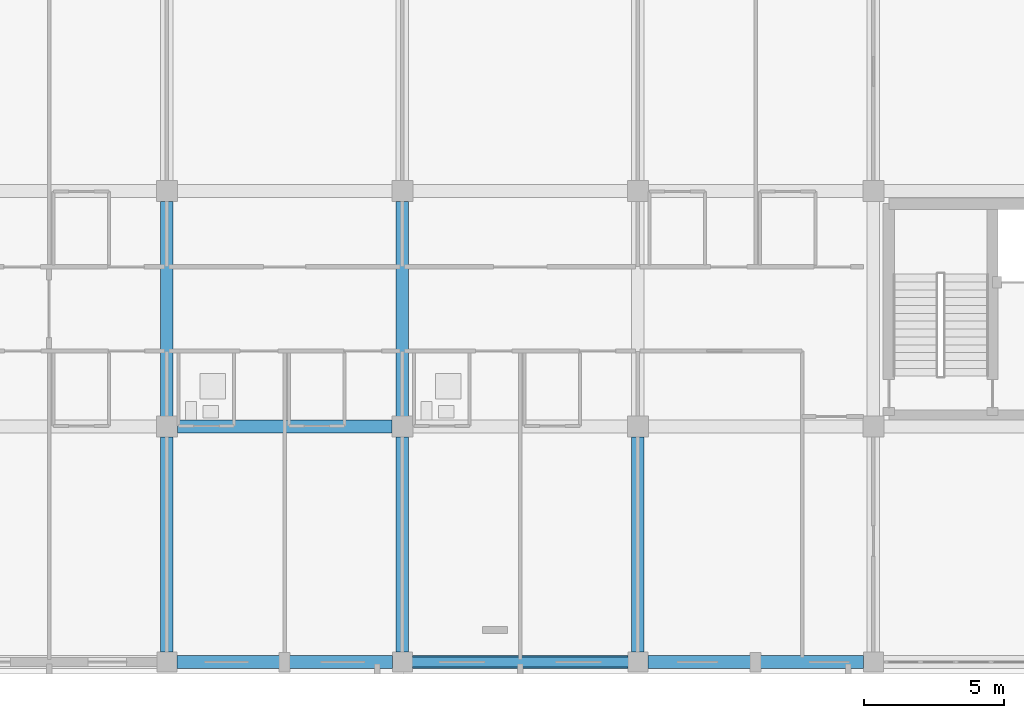
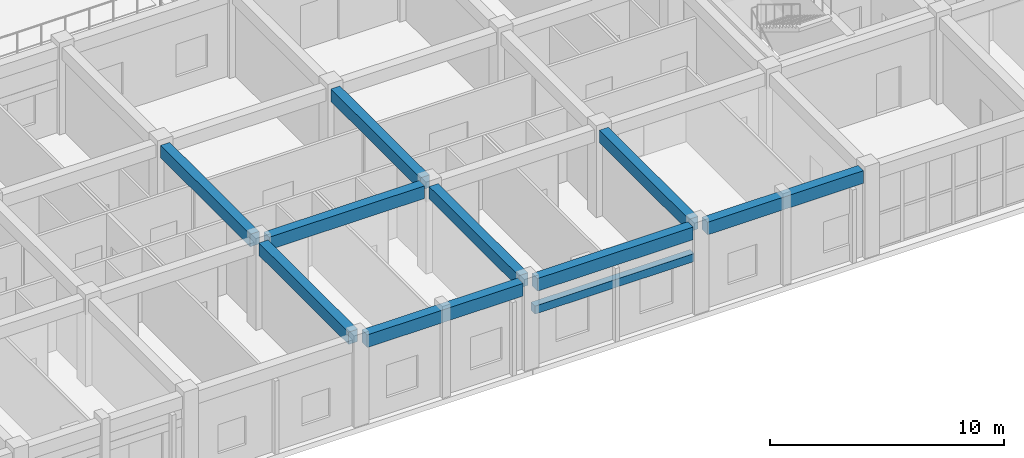
# One storey, part 29 of 158: 10 beams.
"""IFC4 building model written with IfcOpenShell, lengths in metres."""

from ifc_helpers import new_model, si_unit, direction, frame, origin, origin_2d, place, context, subcontext, project, spatial, rectangle, extrude, material, material_profile, profile_set, type_object, element, save


model = new_model("IFC4")

# Units and contexts
model_context = context("Model", 3, precision=1e-05, world=origin(), true_north=direction((0.0, 1.0)))
body_context = subcontext(model_context, "Body", "Model", "MODEL_VIEW")
ifc_project = project(units=[si_unit("LENGTHUNIT", "METRE"), si_unit("AREAUNIT", "SQUARE_METRE"), si_unit("VOLUMEUNIT", "CUBIC_METRE"), si_unit("PLANEANGLEUNIT", "RADIAN"), si_unit("MASSUNIT", "GRAM", prefix="KILO")], contexts=[model_context])

# Site, building, storey
site_placement = place(None, origin())
site = spatial("IfcSite", under=ifc_project, at=site_placement, CompositionType="ELEMENT")
building_placement = place(site_placement, origin())
building = spatial("IfcBuilding", under=site, at=building_placement, Name="Trelvath General Hospital", CompositionType="ELEMENT")
storey_placement = place(building_placement, frame((0.0, 0.0, 8.10009765625)))
storey = spatial("IfcBuildingStorey", under=building, at=storey_placement, Name="L02", CompositionType="ELEMENT", Elevation=8.10009765625)

# Beams
ifc_material_1 = material(Name="Concrete C35/45", Category="concrete")
ifc_material_profile_1 = material_profile(ifc_material_1, rectangle(XDim=0.449951171875, YDim=0.64990234375, at=origin_2d()), Name="RCB450x650")
ifc_profile_set_1 = profile_set([ifc_material_profile_1], Name="Concrete C35/45")
beam_type_1 = type_object("IfcBeamType", Name="Beam RC450x650", PredefinedType="BEAM", material=ifc_profile_set_1)
beam_1_placement = place(storey_placement, frame((67.199951171875, 0.35498046875, 4.19482421875), z_axis=(0.0, 1.0, 0.0), x_axis=(-1.0, 0.0, 0.0)))
element("IfcBeam", 1, at=beam_1_placement, inside=storey, type_object=beam_type_1, Name="Grid Beam BY-208A", PredefinedType="BEAM", context=body_context, shape_type="SweptSolid", body=[
    extrude(rectangle(XDim=0.449951171875, YDim=0.64990234375, at=origin_2d()), origin(), (0.0, 0.0, 1.0), 7.675048828125),
])
beam_2_placement = place(storey_placement, frame((67.199951171875, 8.77001953125, 4.19482421875), z_axis=(0.0, 1.0, 0.0), x_axis=(-1.0, 0.0, 0.0)))
element("IfcBeam", 2, at=beam_2_placement, inside=storey, type_object=beam_type_1, Name="Grid Beam BY-208B", PredefinedType="BEAM", context=body_context, shape_type="SweptSolid", body=[
    extrude(rectangle(XDim=0.449951171875, YDim=0.64990234375, at=origin_2d()), origin(), (0.0, 0.0, 1.0), 7.659912109375),
])
beam_3_placement = place(storey_placement, frame((75.60009765625, 0.35498046875, 4.19482421875), z_axis=(0.0, 1.0, 0.0), x_axis=(-1.0, 0.0, 0.0)))
element("IfcBeam", 3, at=beam_3_placement, inside=storey, type_object=beam_type_1, Name="Grid Beam BY-209A", PredefinedType="BEAM", context=body_context, shape_type="SweptSolid", body=[
    extrude(rectangle(XDim=0.449951171875, YDim=0.64990234375, at=origin_2d()), origin(), (0.0, 0.0, 1.0), 7.675048828125),
])
beam_4_placement = place(storey_placement, frame((75.60009765625, 8.77001953125, 4.19482421875), z_axis=(0.0, 1.0, 0.0), x_axis=(-1.0, 0.0, 0.0)))
element("IfcBeam", 4, at=beam_4_placement, inside=storey, type_object=beam_type_1, Name="Grid Beam BY-209B", PredefinedType="BEAM", context=body_context, shape_type="SweptSolid", body=[
    extrude(rectangle(XDim=0.449951171875, YDim=0.64990234375, at=origin_2d()), origin(), (0.0, 0.0, 1.0), 7.659912109375),
])
beam_5_placement = place(storey_placement, frame((84.0, 0.35498046875, 4.19482421875), z_axis=(0.0, 1.0, 0.0), x_axis=(-1.0, 0.0, 0.0)))
element("IfcBeam", 5, at=beam_5_placement, inside=storey, type_object=beam_type_1, Name="Grid Beam BY-210A", PredefinedType="BEAM", context=body_context, shape_type="SweptSolid", body=[
    extrude(rectangle(XDim=0.449951171875, YDim=0.64990234375, at=origin_2d()), origin(), (0.0, 0.0, 1.0), 7.675048828125),
])
ifc_material_2 = material(Name="Concrete C35/45", Category="concrete")
ifc_material_profile_2 = material_profile(ifc_material_2, rectangle(XDim=0.4599609375, YDim=0.659912109375, at=origin_2d()), Name="RCB460x660")
ifc_profile_set_2 = profile_set([ifc_material_profile_2], Name="Concrete C35/45")
beam_type_2 = type_object("IfcBeamType", Name="Beam RC460x660", PredefinedType="BEAM", material=ifc_profile_set_2)
beam_6_placement = place(storey_placement, frame((67.554931640625, 0.0, 4.18994140625), z_axis=(1.0, 0.0, 0.0), x_axis=(0.0, 1.0, 0.0)))
element("IfcBeam", 6, at=beam_6_placement, inside=storey, type_object=beam_type_2, Name="Grid Beam BX-208A", PredefinedType="BEAM", context=body_context, shape_type="SweptSolid", body=[
    extrude(rectangle(XDim=0.4599609375, YDim=0.659912109375, at=origin_2d()), origin(), (0.0, 0.0, 1.0), 7.690185546875),
])
beam_7_placement = place(storey_placement, frame((67.570068359375, 8.39990234375, 4.18994140625), z_axis=(1.0, 0.0, 0.0), x_axis=(0.0, 1.0, 0.0)))
element("IfcBeam", 7, at=beam_7_placement, inside=storey, type_object=beam_type_2, Name="Grid Beam BX-208B", PredefinedType="BEAM", context=body_context, shape_type="SweptSolid", body=[
    extrude(rectangle(XDim=0.4599609375, YDim=0.659912109375, at=origin_2d()), origin(), (0.0, 0.0, 1.0), 7.659912109375),
])
for number, where, z_axis, x_axis, name in (
    (8, (75.955078125, 0.0, 4.18994140625), (1.0, 0.0, 0.0), (0.0, 1.0, 0.0), "Grid Beam BX-209A"),
    (9, (84.35498046875, 0.0, 4.18994140625), (1.0, 0.0, 0.0), (0.0, 1.0, 0.0), "Grid Beam BX-210A"),
):
    element("IfcBeam", number, at=place(storey_placement, frame(where, z_axis=z_axis, x_axis=x_axis)), inside=storey, type_object=beam_type_2, Name=name, PredefinedType="BEAM", context=body_context, shape_type="SweptSolid", body=[
        extrude(rectangle(XDim=0.4599609375, YDim=0.659912109375, at=origin_2d()), origin(), (0.0, 0.0, 1.0), 7.68994140625),
    ])
ifc_material_3 = material(Name="Precast concrete C40/50", Category="concrete")
ifc_material_profile_3 = material_profile(ifc_material_3, rectangle(XDim=0.35009765625, YDim=0.419921875, at=origin_2d()), Name="PCL350x420")
ifc_profile_set_3 = profile_set([ifc_material_profile_3], Name="Precast concrete C40/50")
beam_type_3 = type_object("IfcBeamType", Name="Lintel PC350x420", PredefinedType="LINTEL", material=ifc_profile_set_3)
beam_8_placement = place(storey_placement, frame((83.72509765625, 0.0, 2.869873046875), z_axis=(-1.0, 0.0, 0.0), x_axis=(0.0, -1.0, 0.0)))
element("IfcBeam", 10, at=beam_8_placement, inside=storey, type_object=beam_type_3, Name="Precast Window Brow Lintel L02-266", PredefinedType="LINTEL", context=body_context, shape_type="SweptSolid", body=[
    extrude(rectangle(XDim=0.35009765625, YDim=0.419921875, at=origin_2d()), origin(), (0.0, 0.0, 1.0), 7.85009765625),
])

save(model, "model.ifc")
